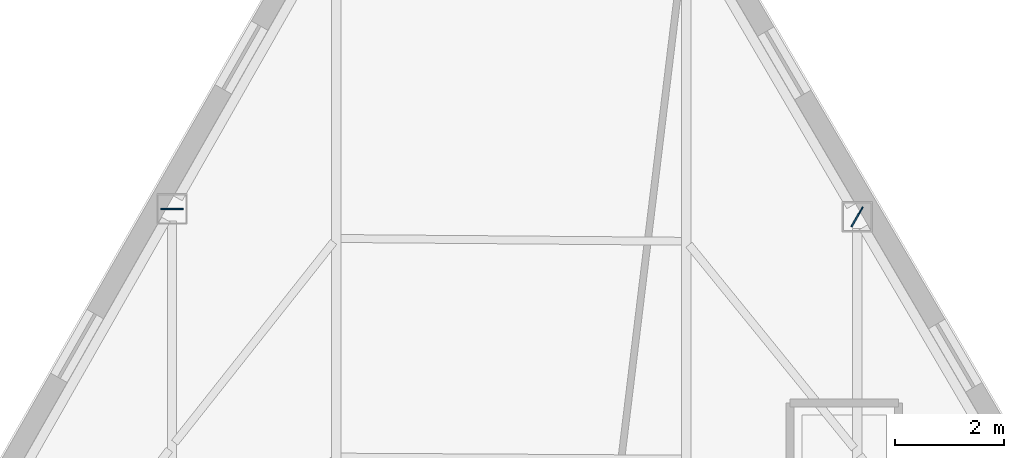
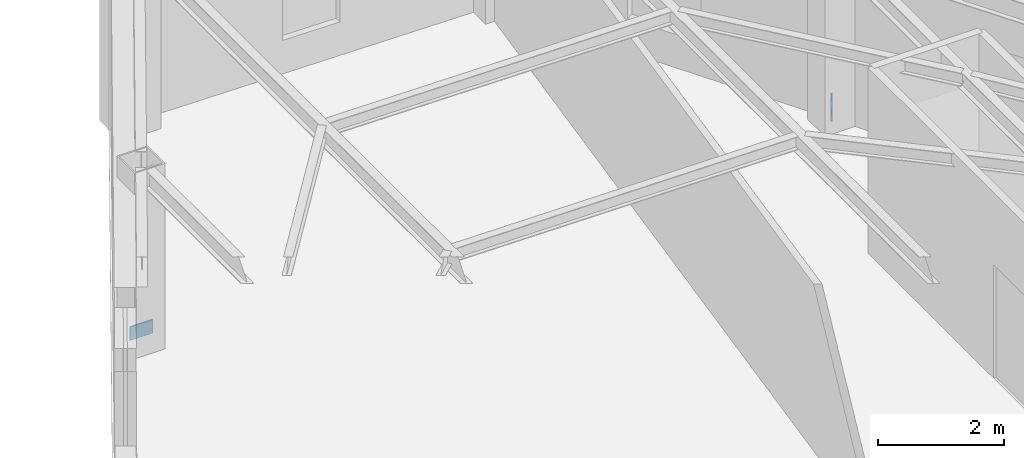
# One storey, part 7 of 11: 2 plates.
"""IFC4 building model written with IfcOpenShell, lengths in metres."""

from ifc_helpers import new_model, si_unit, direction, frame, origin, origin_2d, place, context, subcontext, project, spatial, rectangle, extrude, material, layer, layer_set, type_object, element, save


model = new_model("IFC4")

# Units and contexts
model_context = context("Model", 3, precision=1e-05, world=origin(), true_north=direction((0.0, 1.0)))
body_context = subcontext(model_context, "Body", "Model", "MODEL_VIEW")
ifc_project = project(units=[si_unit("LENGTHUNIT", "METRE"), si_unit("AREAUNIT", "SQUARE_METRE"), si_unit("VOLUMEUNIT", "CUBIC_METRE"), si_unit("PLANEANGLEUNIT", "RADIAN"), si_unit("MASSUNIT", "GRAM", prefix="KILO")], contexts=[model_context])

# Site, building, storey
site_placement = place(None, origin())
site = spatial("IfcSite", under=ifc_project, at=site_placement, CompositionType="ELEMENT")
building_placement = place(site_placement, origin())
building = spatial("IfcBuilding", under=site, at=building_placement, Name="Kavelnor Concourse Tower", CompositionType="ELEMENT")
storey_placement = place(building_placement, frame((0.0, 0.0, 258.75)))
storey = spatial("IfcBuildingStorey", under=building, at=storey_placement, Name="L65", CompositionType="ELEMENT", Elevation=258.75)

# Plates
ifc_material = material(Name="Steel Grade 350", Category="steel")
ifc_layer = layer(ifc_material, 0.02490234375, Name="Steel Grade 350")
ifc_layer_set = layer_set([ifc_layer], Name="Steel Grade 350")
plate_type = type_object("IfcPlateType", Name="PL-SPLICE-FLANGE", PredefinedType="SHEET", material=ifc_layer_set)
for number, where, z_axis, x_axis, name in (
    (1, (31.81982421875, 37.976318359375, 0.169921875), (0.0, 0.0, 1.0), (1.0, 0.0, 0.0), "L65 Column Flange Splice Plate F0-B1"),
    (2, (44.437255859375, 37.831787109375, 0.169921875), (0.0, 0.0, 1.0), (-0.5, -0.866025403784, 0.0), "L65 Column Flange Splice Plate F2-B5"),
):
    element("IfcPlate", number, at=place(storey_placement, frame(where, z_axis=z_axis, x_axis=x_axis)), inside=storey, type_object=plate_type, Name=name, PredefinedType="SHEET", context=body_context, shape_type="SweptSolid", body=[
        extrude(rectangle(XDim=0.419921875, YDim=0.02490234375, at=origin_2d()), origin(), (0.0, 0.0, 1.0), 0.260009765625),
    ])

save(model, "model.ifc")
